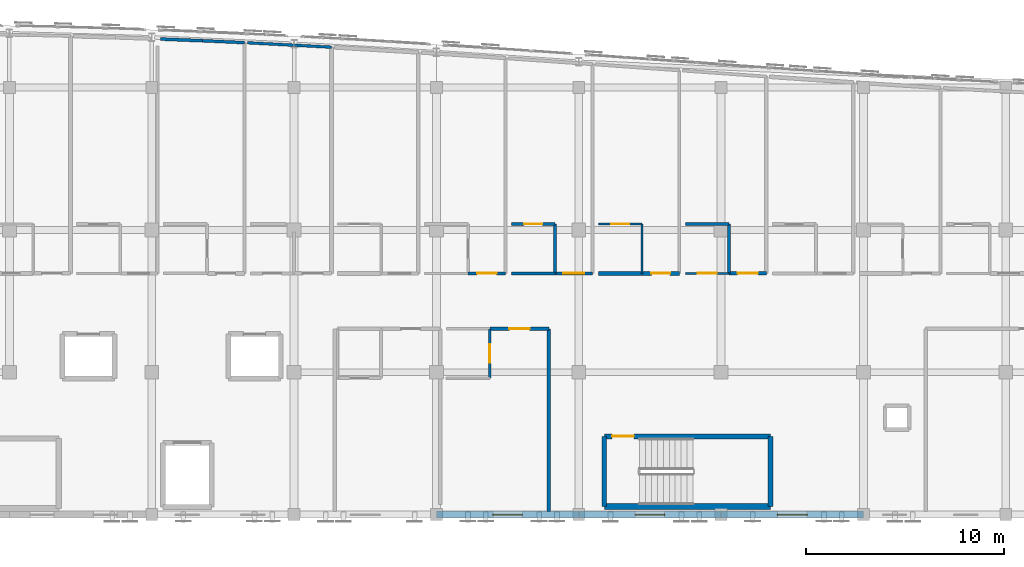
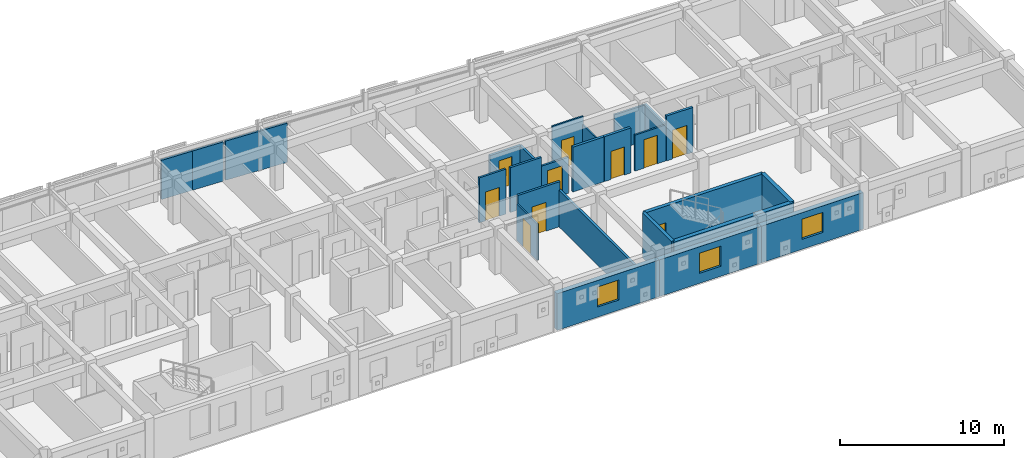
# One storey, part 42 of 48: 26 walls, 10 doors, 3 windows, 13 openings.
"""IFC4 building model written with IfcOpenShell, lengths in metres."""

from ifc_helpers import new_model, si_unit, direction, frame, frame_2d, origin, place, context, subcontext, project, spatial, rectangle, extrude, material, layer, layer_set, type_object, element, fill, save


model = new_model("IFC4")

# Units and contexts
model_context = context("Model", 3, precision=1e-05, world=origin(), true_north=direction((0.0, 1.0)))
body_context = subcontext(model_context, "Body", "Model", "MODEL_VIEW")
ifc_project = project(units=[si_unit("LENGTHUNIT", "METRE"), si_unit("AREAUNIT", "SQUARE_METRE"), si_unit("VOLUMEUNIT", "CUBIC_METRE"), si_unit("PLANEANGLEUNIT", "RADIAN"), si_unit("MASSUNIT", "GRAM", prefix="KILO")], contexts=[model_context])

# Site, building, storey
site_placement = place(None, origin())
site = spatial("IfcSite", under=ifc_project, at=site_placement, CompositionType="ELEMENT")
building_placement = place(site_placement, origin())
building = spatial("IfcBuilding", under=site, at=building_placement, Name="Carrowvane Square Congress Hotel", CompositionType="ELEMENT")
storey_placement = place(building_placement, frame((0.0, 0.0, 26.39990234375)))
storey = spatial("IfcBuildingStorey", under=building, at=storey_placement, Name="L06", CompositionType="ELEMENT", Elevation=26.39990234375)

# Wall, opening, window
ifc_material_1 = material(Name="Glazed terracotta rainscreen", Category="masonry")
ifc_layer_1 = layer(ifc_material_1, 0.360107421875)
ifc_layer_set_1 = layer_set([ifc_layer_1], Name="Glazed terracotta rainscreen")
wall_type_1 = type_object("IfcWallType", Name="WL-EXT-TC360", PredefinedType="STANDARD", material=ifc_layer_set_1)
wall_1_placement = place(storey_placement, frame((148.39990234375, 91.800048828125, 0.0), z_axis=(0.0, 0.0, 1.0), x_axis=(-1.0, 0.0, 0.0)))
wall_1 = element("IfcWall", 1, at=wall_1_placement, inside=storey, type_object=wall_type_1, Name="L06 exterior facade wall 488", PredefinedType="STANDARD", context=body_context, shape_type="SweptSolid", body=[
    extrude(rectangle(XDim=7.199951171875, YDim=0.360107421875, at=frame_2d((3.60009765625, 0.0))), origin(), (0.0, 0.0, 1.0), 2.735107421875),
])
opening_1_placement = place(wall_1_placement, frame((2.85009765625, 0.0, 0.75)))
opening_1 = element("IfcOpeningElement", 2, at=opening_1_placement, cuts=wall_1, Name="Opening W-15", PredefinedType="OPENING", context=body_context, shape_type="SweptSolid", body=[
    extrude(rectangle(XDim=1.5, YDim=1.5, at=frame_2d((0.75, 0.75))), frame((0.0, 0.18994140625, 0.0), z_axis=(0.0, -1.0, 0.0), x_axis=(1.0, 0.0, 0.0)), (0.0, 0.0, 1.0), 0.380126953125),
])
ifc_material_2 = material(Name="Double-glazed low-E glass", Category="glass")
window_type = type_object("IfcWindowType", Name="WIN-15", PartitioningType="SINGLE_PANEL", PredefinedType="WINDOW", material=ifc_material_2)
window_1_placement = place(opening_1_placement, origin())
window_1 = element("IfcWindow", 3, at=window_1_placement, inside=storey, type_object=window_type, Name="L06 facade window 318", OverallHeight=1.5, OverallWidth=1.5, PartitioningType="SINGLE_PANEL", PredefinedType="WINDOW", context=body_context, shape_type="SweptSolid", body=[
    extrude(rectangle(XDim=1.5, YDim=1.5, at=frame_2d((0.75, 0.75))), frame((0.0, 0.030029296875, 0.0), z_axis=(0.0, -1.0, 0.0), x_axis=(1.0, 0.0, 0.0)), (0.0, 0.0, 1.0), 0.06005859375),
])
fill(opening_1, window_1)

wall_2_placement = place(storey_placement, frame((141.199951171875, 91.800048828125, 0.0), z_axis=(0.0, 0.0, 1.0), x_axis=(-1.0, 0.0, 0.0)))
wall_2 = element("IfcWall", 4, at=wall_2_placement, inside=storey, type_object=wall_type_1, Name="L06 exterior facade wall 489", PredefinedType="STANDARD", context=body_context, shape_type="SweptSolid", body=[
    extrude(rectangle(XDim=7.199951171875, YDim=0.360107421875, at=frame_2d((3.60009765625, 0.0))), origin(), (0.0, 0.0, 1.0), 2.735107421875),
])
opening_2_placement = place(wall_2_placement, frame((2.85009765625, 0.0, 0.75)))
opening_2 = element("IfcOpeningElement", 5, at=opening_2_placement, cuts=wall_2, Name="Opening W-15", PredefinedType="OPENING", context=body_context, shape_type="SweptSolid", body=[
    extrude(rectangle(XDim=1.5, YDim=1.5, at=frame_2d((0.75, 0.75))), frame((0.0, 0.18994140625, 0.0), z_axis=(0.0, -1.0, 0.0), x_axis=(1.0, 0.0, 0.0)), (0.0, 0.0, 1.0), 0.380126953125),
])
window_2_placement = place(opening_2_placement, origin())
window_2 = element("IfcWindow", 6, at=window_2_placement, inside=storey, type_object=window_type, Name="L06 facade window 319", OverallHeight=1.5, OverallWidth=1.5, PartitioningType="SINGLE_PANEL", PredefinedType="WINDOW", context=body_context, shape_type="SweptSolid", body=[
    extrude(rectangle(XDim=1.5, YDim=1.5, at=frame_2d((0.75, 0.75))), frame((0.0, 0.030029296875, 0.0), z_axis=(0.0, -1.0, 0.0), x_axis=(1.0, 0.0, 0.0)), (0.0, 0.0, 1.0), 0.06005859375),
])
fill(opening_2, window_2)

wall_3_placement = place(storey_placement, frame((134.0, 91.800048828125, 0.0), z_axis=(0.0, 0.0, 1.0), x_axis=(-1.0, 0.0, 0.0)))
wall_3 = element("IfcWall", 7, at=wall_3_placement, inside=storey, type_object=wall_type_1, Name="L06 exterior facade wall 490", PredefinedType="STANDARD", context=body_context, shape_type="SweptSolid", body=[
    extrude(rectangle(XDim=7.199951171875, YDim=0.360107421875, at=frame_2d((3.60009765625, 0.0))), origin(), (0.0, 0.0, 1.0), 2.735107421875),
])
opening_3_placement = place(wall_3_placement, frame((2.85009765625, 0.0, 0.75)))
opening_3 = element("IfcOpeningElement", 8, at=opening_3_placement, cuts=wall_3, Name="Opening W-15", PredefinedType="OPENING", context=body_context, shape_type="SweptSolid", body=[
    extrude(rectangle(XDim=1.5, YDim=1.5, at=frame_2d((0.75, 0.75))), frame((0.0, 0.18994140625, 0.0), z_axis=(0.0, -1.0, 0.0), x_axis=(1.0, 0.0, 0.0)), (0.0, 0.0, 1.0), 0.380126953125),
])
window_3_placement = place(opening_3_placement, origin())
window_3 = element("IfcWindow", 9, at=window_3_placement, inside=storey, type_object=window_type, Name="L06 facade window 320", OverallHeight=1.5, OverallWidth=1.5, PartitioningType="SINGLE_PANEL", PredefinedType="WINDOW", context=body_context, shape_type="SweptSolid", body=[
    extrude(rectangle(XDim=1.5, YDim=1.5, at=frame_2d((0.75, 0.75))), frame((0.0, 0.030029296875, 0.0), z_axis=(0.0, -1.0, 0.0), x_axis=(1.0, 0.0, 0.0)), (0.0, 0.0, 1.0), 0.06005859375),
])
fill(opening_3, window_3)

# Wall, opening, door
ifc_material_3 = material(Name="Acoustic gypsum board", Category="gypsum")
ifc_layer_2 = layer(ifc_material_3, 0.155029296875)
ifc_layer_set_2 = layer_set([ifc_layer_2], Name="Acoustic gypsum board")
wall_type_2 = type_object("IfcWallType", Name="WL-FIR-155", PredefinedType="PARTITIONING", material=ifc_layer_set_2)
wall_4_placement = place(storey_placement, frame((129.510009765625, 101.199951171875, 0.0), z_axis=(0.0, 0.0, 1.0), x_axis=(1.0, 0.0, 0.0)))
wall_4 = element("IfcWall", 10, at=wall_4_placement, inside=storey, type_object=wall_type_2, Name="L06 Hotel Suite 0608 partition", PredefinedType="PARTITIONING", context=body_context, shape_type="SweptSolid", body=[
    extrude(rectangle(XDim=2.97998046875, YDim=0.155029296875, at=frame_2d((1.489990234375, 0.0))), origin(), (0.0, 0.0, 1.0), 3.35009765625),
])
opening_4_placement = place(wall_4_placement, frame((0.97998046875, 0.0, 0.0)))
opening_4 = element("IfcOpeningElement", 11, at=opening_4_placement, cuts=wall_4, Name="Opening FD-08", PredefinedType="OPENING", context=body_context, shape_type="SweptSolid", body=[
    extrude(rectangle(XDim=1.02001953125, YDim=2.14990234375, at=frame_2d((0.510009765625, 1.074951171875))), frame((0.0, 0.08740234375, 0.0), z_axis=(0.0, -1.0, 0.0), x_axis=(1.0, 0.0, 0.0)), (0.0, 0.0, 1.0), 0.175048828125),
])
ifc_material_4 = material(Name="European oak timber", Category="wood")
door_type_1 = type_object("IfcDoorType", Name="DR-FD30-1020x2150", OperationType="NOTDEFINED", PredefinedType="DOOR", material=ifc_material_4)
door_1_placement = place(opening_4_placement, origin())
door_1 = element("IfcDoor", 12, at=door_1_placement, inside=storey, type_object=door_type_1, Name="L06 Hotel Suite 0608 entrance door", OperationType="SINGLE_SWING_LEFT", OverallHeight=2.14990234375, OverallWidth=1.02001953125, PredefinedType="DOOR", context=body_context, shape_type="SweptSolid", body=[
    extrude(rectangle(XDim=1.02001953125, YDim=2.14990234375, at=frame_2d((0.510009765625, 1.074951171875))), frame((0.0, 0.02490234375, 0.0), z_axis=(0.0, -1.0, 0.0), x_axis=(1.0, 0.0, 0.0)), (0.0, 0.0, 1.0), 0.050048828125),
])
fill(opening_4, door_1)

# Walls
wall_5_placement = place(storey_placement, frame((112.85009765625, 115.85595703125, 0.0), z_axis=(0.0, 0.0, 1.0), x_axis=(0.999174642918, -0.040620597599, 0.0)))
element("IfcWall", 13, at=wall_5_placement, inside=storey, type_object=wall_type_2, Name="L06 Parkview Guest Bedroom 0622 partition", PredefinedType="PARTITIONING", context=body_context, shape_type="SweptSolid", body=[
    extrude(rectangle(XDim=2.12158203125, YDim=0.155029296875, at=frame_2d((1.060791015625, 0.0))), origin(), (0.0, 0.0, 1.0), 2.92578125),
])
wall_6_placement = place(storey_placement, frame((132.800048828125, 106.5, 0.0), z_axis=(0.0, 0.0, 1.0), x_axis=(0.0, -1.0, 0.0)))
element("IfcWall", 14, at=wall_6_placement, inside=storey, type_object=wall_type_2, Name="L06 En-suite Bathroom 0626 partition", PredefinedType="PARTITIONING", context=body_context, shape_type="SweptSolid", body=[
    extrude(rectangle(XDim=2.5, YDim=0.155029296875, at=frame_2d((1.25, 0.0))), origin(), (0.0, 0.0, 1.0), 2.735107421875),
])
ifc_material_5 = material(Name="Acoustic gypsum board", Category="gypsum")
ifc_layer_3 = layer(ifc_material_5, 0.169921875)
ifc_layer_set_3 = layer_set([ifc_layer_3], Name="Acoustic gypsum board")
wall_type_3 = type_object("IfcWallType", Name="WL-FIR-170", PredefinedType="PARTITIONING", material=ifc_layer_set_3)
wall_7_placement = place(storey_placement, frame((132.489990234375, 101.199951171875, 0.0), z_axis=(0.0, 0.0, 1.0), x_axis=(0.0, -1.0, 0.0)))
element("IfcWall", 15, at=wall_7_placement, inside=storey, type_object=wall_type_3, Name="L06 Hotel Suite 0608 partition", PredefinedType="PARTITIONING", context=body_context, shape_type="SweptSolid", body=[
    extrude(rectangle(XDim=9.239990234375, YDim=0.169921875, at=frame_2d((4.6201171875, 0.0))), origin(), (0.0, 0.0, 1.0), 2.735107421875),
])

# Wall, opening, door
wall_8_placement = place(storey_placement, frame((130.60009765625, 106.5, 0.0), z_axis=(0.0, 0.0, 1.0), x_axis=(1.0, 0.0, 0.0)))
wall_8 = element("IfcWall", 16, at=wall_8_placement, inside=storey, type_object=wall_type_3, Name="L06 En-suite Bathroom 0626 partition", PredefinedType="PARTITIONING", context=body_context, shape_type="SweptSolid", body=[
    extrude(rectangle(XDim=2.199951171875, YDim=0.169921875, at=frame_2d((1.10009765625, 0.0))), origin(), (0.0, 0.0, 1.0), 2.735107421875),
])
opening_5_placement = place(wall_8_placement, frame((0.635009765625, 0.0, 0.0)))
opening_5 = element("IfcOpeningElement", 17, at=opening_5_placement, cuts=wall_8, Name="Opening ID-18", PredefinedType="OPENING", context=body_context, shape_type="SweptSolid", body=[
    extrude(rectangle(XDim=0.929931640625, YDim=2.1298828125, at=frame_2d((0.46484375, 1.06494140625))), frame((0.0, 0.094970703125, 0.0), z_axis=(0.0, -1.0, 0.0), x_axis=(1.0, 0.0, 0.0)), (0.0, 0.0, 1.0), 0.18994140625),
])
ifc_material_6 = material(Name="European oak timber", Category="wood")
door_type_2 = type_object("IfcDoorType", Name="DR-INT-0930x2130", OperationType="NOTDEFINED", PredefinedType="DOOR", material=ifc_material_6)
door_2_placement = place(opening_5_placement, origin())
door_2 = element("IfcDoor", 18, at=door_2_placement, inside=storey, type_object=door_type_2, Name="L06 En-suite Bathroom 0626 door", OperationType="SINGLE_SWING_RIGHT", OverallHeight=2.1298828125, OverallWidth=0.929931640625, PredefinedType="DOOR", context=body_context, shape_type="SweptSolid", body=[
    extrude(rectangle(XDim=0.929931640625, YDim=2.1298828125, at=frame_2d((0.46484375, 1.06494140625))), frame((0.0, 0.02490234375, 0.0), z_axis=(0.0, -1.0, 0.0), x_axis=(1.0, 0.0, 0.0)), (0.0, 0.0, 1.0), 0.050048828125),
])
fill(opening_5, door_2)

wall_9_placement = place(storey_placement, frame((143.489990234375, 104.0, 0.0), z_axis=(0.0, 0.0, 1.0), x_axis=(-1.0, 0.0, 0.0)))
wall_9 = element("IfcWall", 19, at=wall_9_placement, inside=storey, type_object=wall_type_3, Name="L06 Parkview Guest Bedroom 0628 partition", PredefinedType="PARTITIONING", context=body_context, shape_type="SweptSolid", body=[
    extrude(rectangle(XDim=1.8798828125, YDim=0.169921875, at=frame_2d((0.93994140625, 0.0))), origin(), (0.0, 0.0, 1.0), 3.35009765625),
])
opening_6_placement = place(wall_9_placement, frame((0.429931640625, 0.0, 0.0)))
opening_6 = element("IfcOpeningElement", 20, at=opening_6_placement, cuts=wall_9, Name="Opening FD-08", PredefinedType="OPENING", context=body_context, shape_type="SweptSolid", body=[
    extrude(rectangle(XDim=1.02001953125, YDim=2.14990234375, at=frame_2d((0.510009765625, 1.074951171875))), frame((0.0, 0.094970703125, 0.0), z_axis=(0.0, -1.0, 0.0), x_axis=(1.0, 0.0, 0.0)), (0.0, 0.0, 1.0), 0.18994140625),
])
door_3_placement = place(opening_6_placement, origin())
door_3 = element("IfcDoor", 21, at=door_3_placement, inside=storey, type_object=door_type_1, Name="L06 Parkview Guest Bedroom 0628 entrance door", OperationType="SINGLE_SWING_LEFT", OverallHeight=2.14990234375, OverallWidth=1.02001953125, PredefinedType="DOOR", context=body_context, shape_type="SweptSolid", body=[
    extrude(rectangle(XDim=1.02001953125, YDim=2.14990234375, at=frame_2d((0.510009765625, 1.074951171875))), frame((0.0, 0.02490234375, 0.0), z_axis=(0.0, -1.0, 0.0), x_axis=(1.0, 0.0, 0.0)), (0.0, 0.0, 1.0), 0.050048828125),
])
fill(opening_6, door_3)

# Wall
ifc_material_7 = material(Name="Acoustic gypsum board", Category="gypsum")
ifc_layer_4 = layer(ifc_material_7, 0.18505859375)
ifc_layer_set_4 = layer_set([ifc_layer_4], Name="Acoustic gypsum board")
wall_type_4 = type_object("IfcWallType", Name="WL-FIR-185", PredefinedType="PARTITIONING", material=ifc_layer_set_4)
wall_10_placement = place(storey_placement, frame((137.199951171875, 104.0, 0.0), z_axis=(0.0, 0.0, 1.0), x_axis=(-1.0, 0.0, 0.0)))
element("IfcWall", 22, at=wall_10_placement, inside=storey, type_object=wall_type_4, Name="L06 En-suite Bathroom 0627 partition", PredefinedType="PARTITIONING", context=body_context, shape_type="SweptSolid", body=[
    extrude(rectangle(XDim=2.199951171875, YDim=0.18505859375, at=frame_2d((1.10009765625, 0.0))), origin(), (0.0, 0.0, 1.0), 3.35009765625),
])

# Wall, opening, door
wall_11_placement = place(storey_placement, frame((139.090087890625, 104.0, 0.0), z_axis=(0.0, 0.0, 1.0), x_axis=(-1.0, 0.0, 0.0)))
wall_11 = element("IfcWall", 23, at=wall_11_placement, inside=storey, type_object=wall_type_4, Name="L06 Parkview Guest Bedroom 0627 partition", PredefinedType="PARTITIONING", context=body_context, shape_type="SweptSolid", body=[
    extrude(rectangle(XDim=1.880126953125, YDim=0.18505859375, at=frame_2d((0.93994140625, 0.0))), origin(), (0.0, 0.0, 1.0), 3.35009765625),
])
opening_7_placement = place(wall_11_placement, frame((0.465087890625, 0.0, 0.0)))
opening_7 = element("IfcOpeningElement", 24, at=opening_7_placement, cuts=wall_11, Name="Opening FD-06", PredefinedType="OPENING", context=body_context, shape_type="SweptSolid", body=[
    extrude(rectangle(XDim=0.949951171875, YDim=2.10009765625, at=frame_2d((0.47509765625, 1.050048828125))), frame((0.0, 0.1025390625, 0.0), z_axis=(0.0, -1.0, 0.0), x_axis=(1.0, 0.0, 0.0)), (0.0, 0.0, 1.0), 0.205078125),
])
ifc_material_8 = material(Name="European oak timber", Category="wood")
door_type_3 = type_object("IfcDoorType", Name="DR-FD30-0950x2100", OperationType="NOTDEFINED", PredefinedType="DOOR", material=ifc_material_8)
door_4_placement = place(opening_7_placement, origin())
door_4 = element("IfcDoor", 25, at=door_4_placement, inside=storey, type_object=door_type_3, Name="L06 Parkview Guest Bedroom 0627 entrance door", OperationType="SINGLE_SWING_LEFT", OverallHeight=2.10009765625, OverallWidth=0.949951171875, PredefinedType="DOOR", context=body_context, shape_type="SweptSolid", body=[
    extrude(rectangle(XDim=0.949951171875, YDim=2.10009765625, at=frame_2d((0.47509765625, 1.050048828125))), frame((0.0, 0.02490234375, 0.0), z_axis=(0.0, -1.0, 0.0), x_axis=(1.0, 0.0, 0.0)), (0.0, 0.0, 1.0), 0.050048828125),
])
fill(opening_7, door_4)

# Wall
ifc_material_9 = material(Name="Acoustic gypsum board", Category="gypsum")
ifc_layer_5 = layer(ifc_material_9, 0.097900390625)
ifc_layer_set_5 = layer_set([ifc_layer_5], Name="Acoustic gypsum board")
wall_type_5 = type_object("IfcWallType", Name="WL-PRT-098", PredefinedType="PARTITIONING", material=ifc_layer_set_5)
wall_12_placement = place(storey_placement, frame((137.199951171875, 106.5, 0.0), z_axis=(0.0, 0.0, 1.0), x_axis=(0.0, -1.0, 0.0)))
element("IfcWall", 26, at=wall_12_placement, inside=storey, type_object=wall_type_5, Name="L06 En-suite Bathroom 0627 partition", PredefinedType="PARTITIONING", context=body_context, shape_type="SweptSolid", body=[
    extrude(rectangle(XDim=2.5, YDim=0.097900390625, at=frame_2d((1.25, 0.0))), origin(), (0.0, 0.0, 1.0), 2.735107421875),
])

# Wall, opening, door
ifc_material_10 = material(Name="Acoustic gypsum board", Category="gypsum")
ifc_layer_6 = layer(ifc_material_10, 0.10791015625)
ifc_layer_set_6 = layer_set([ifc_layer_6], Name="Acoustic gypsum board")
wall_type_6 = type_object("IfcWallType", Name="WL-PRT-108", PredefinedType="PARTITIONING", material=ifc_layer_set_6)
wall_13_placement = place(storey_placement, frame((129.5, 101.199951171875, 0.0), z_axis=(0.0, 0.0, 1.0), x_axis=(0.0, -1.0, 0.0)))
wall_13 = element("IfcWall", 27, at=wall_13_placement, inside=storey, type_object=wall_type_6, Name="L06 En-suite Bathroom 0608 partition", PredefinedType="PARTITIONING", context=body_context, shape_type="SweptSolid", body=[
    extrude(rectangle(XDim=2.5, YDim=0.10791015625, at=frame_2d((1.25, 0.0))), origin(), (0.0, 0.0, 1.0), 2.735107421875),
])
opening_8_placement = place(wall_13_placement, frame((0.784912109375, 0.0, 0.0)))
opening_8 = element("IfcOpeningElement", 28, at=opening_8_placement, cuts=wall_13, Name="Opening ID-18", PredefinedType="OPENING", context=body_context, shape_type="SweptSolid", body=[
    extrude(rectangle(XDim=0.929931640625, YDim=2.1298828125, at=frame_2d((0.46484375, 1.06494140625))), frame((0.0, 0.06396484375, 0.0), z_axis=(0.0, -1.0, 0.0), x_axis=(1.0, 0.0, 0.0)), (0.0, 0.0, 1.0), 0.1279296875),
])
door_5_placement = place(opening_8_placement, origin())
door_5 = element("IfcDoor", 29, at=door_5_placement, inside=storey, type_object=door_type_2, Name="L06 En-suite Bathroom 0608 door", OperationType="SINGLE_SWING_RIGHT", OverallHeight=2.1298828125, OverallWidth=0.929931640625, PredefinedType="DOOR", context=body_context, shape_type="SweptSolid", body=[
    extrude(rectangle(XDim=0.929931640625, YDim=2.1298828125, at=frame_2d((0.46484375, 1.06494140625))), frame((0.0, 0.02490234375, 0.0), z_axis=(0.0, -1.0, 0.0), x_axis=(1.0, 0.0, 0.0)), (0.0, 0.0, 1.0), 0.050048828125),
])
fill(opening_8, door_5)

wall_14_placement = place(storey_placement, frame((135.0, 106.5, 0.0), z_axis=(0.0, 0.0, 1.0), x_axis=(1.0, 0.0, 0.0)))
wall_14 = element("IfcWall", 30, at=wall_14_placement, inside=storey, type_object=wall_type_6, Name="L06 En-suite Bathroom 0627 partition", PredefinedType="PARTITIONING", context=body_context, shape_type="SweptSolid", body=[
    extrude(rectangle(XDim=2.199951171875, YDim=0.10791015625, at=frame_2d((1.10009765625, 0.0))), origin(), (0.0, 0.0, 1.0), 3.35009765625),
])
opening_9_placement = place(wall_14_placement, frame((0.64990234375, 0.0, 0.0)))
opening_9 = element("IfcOpeningElement", 31, at=opening_9_placement, cuts=wall_14, Name="Opening ID-02", PredefinedType="OPENING", context=body_context, shape_type="SweptSolid", body=[
    extrude(rectangle(XDim=0.89990234375, YDim=2.080078125, at=frame_2d((0.449951171875, 1.0400390625))), frame((0.0, 0.06396484375, 0.0), z_axis=(0.0, -1.0, 0.0), x_axis=(1.0, 0.0, 0.0)), (0.0, 0.0, 1.0), 0.1279296875),
])
ifc_material_11 = material(Name="European oak timber", Category="wood")
door_type_4 = type_object("IfcDoorType", Name="DR-INT-0900x2080", OperationType="NOTDEFINED", PredefinedType="DOOR", material=ifc_material_11)
door_6_placement = place(opening_9_placement, origin())
door_6 = element("IfcDoor", 32, at=door_6_placement, inside=storey, type_object=door_type_4, Name="L06 En-suite Bathroom 0627 door", OperationType="SINGLE_SWING_RIGHT", OverallHeight=2.080078125, OverallWidth=0.89990234375, PredefinedType="DOOR", context=body_context, shape_type="SweptSolid", body=[
    extrude(rectangle(XDim=0.89990234375, YDim=2.080078125, at=frame_2d((0.449951171875, 1.0400390625))), frame((0.0, 0.02490234375, 0.0), z_axis=(0.0, -1.0, 0.0), x_axis=(1.0, 0.0, 0.0)), (0.0, 0.0, 1.0), 0.050048828125),
])
fill(opening_9, door_6)

ifc_material_12 = material(Name="Acoustic gypsum board", Category="gypsum")
ifc_layer_7 = layer(ifc_material_12, 0.117919921875)
ifc_layer_set_7 = layer_set([ifc_layer_7], Name="Acoustic gypsum board")
wall_type_7 = type_object("IfcWallType", Name="WL-PRT-118", PredefinedType="PARTITIONING", material=ifc_layer_set_7)
wall_15_placement = place(storey_placement, frame((141.60009765625, 104.0, 0.0), z_axis=(0.0, 0.0, 1.0), x_axis=(-1.0, 0.0, 0.0)))
wall_15 = element("IfcWall", 33, at=wall_15_placement, inside=storey, type_object=wall_type_7, Name="L06 En-suite Bathroom 0628 partition", PredefinedType="PARTITIONING", context=body_context, shape_type="SweptSolid", body=[
    extrude(rectangle(XDim=2.2001953125, YDim=0.117919921875, at=frame_2d((1.10009765625, 0.0))), origin(), (0.0, 0.0, 1.0), 2.68505859375),
])
opening_10_placement = place(wall_15_placement, frame((0.6298828125, 0.0, 0.0)))
opening_10 = element("IfcOpeningElement", 34, at=opening_10_placement, cuts=wall_15, Name="Opening ID-04", PredefinedType="OPENING", context=body_context, shape_type="SweptSolid", body=[
    extrude(rectangle(XDim=0.93994140625, YDim=2.1201171875, at=frame_2d((0.469970703125, 1.06005859375))), frame((0.0, 0.06884765625, 0.0), z_axis=(0.0, -1.0, 0.0), x_axis=(1.0, 0.0, 0.0)), (0.0, 0.0, 1.0), 0.137939453125),
])
ifc_material_13 = material(Name="European oak timber", Category="wood")
door_type_5 = type_object("IfcDoorType", Name="DR-INT-0940x2120", OperationType="NOTDEFINED", PredefinedType="DOOR", material=ifc_material_13)
door_7_placement = place(opening_10_placement, origin())
door_7 = element("IfcDoor", 35, at=door_7_placement, inside=storey, type_object=door_type_5, Name="L06 En-suite Bathroom 0628 door", OperationType="SINGLE_SWING_RIGHT", OverallHeight=2.1201171875, OverallWidth=0.93994140625, PredefinedType="DOOR", context=body_context, shape_type="SweptSolid", body=[
    extrude(rectangle(XDim=0.93994140625, YDim=2.1201171875, at=frame_2d((0.469970703125, 1.06005859375))), frame((0.0, 0.02490234375, 0.0), z_axis=(0.0, -1.0, 0.0), x_axis=(1.0, 0.0, 0.0)), (0.0, 0.0, 1.0), 0.050048828125),
])
fill(opening_10, door_7)

# Walls
ifc_material_14 = material(Name="Acoustic gypsum board", Category="gypsum")
ifc_layer_8 = layer(ifc_material_14, 0.1279296875)
ifc_layer_set_8 = layer_set([ifc_layer_8], Name="Acoustic gypsum board")
wall_type_8 = type_object("IfcWallType", Name="WL-PRT-128", PredefinedType="PARTITIONING", material=ifc_layer_set_8)
wall_16_placement = place(storey_placement, frame((141.60009765625, 106.5, 0.0), z_axis=(0.0, 0.0, 1.0), x_axis=(0.0, -1.0, 0.0)))
element("IfcWall", 36, at=wall_16_placement, inside=storey, type_object=wall_type_8, Name="L06 En-suite Bathroom 0628 partition", PredefinedType="PARTITIONING", context=body_context, shape_type="SweptSolid", body=[
    extrude(rectangle(XDim=2.5, YDim=0.1279296875, at=frame_2d((1.25, 0.0))), origin(), (0.0, 0.0, 1.0), 2.735107421875),
])
ifc_material_15 = material(Name="Acoustic gypsum board", Category="gypsum")
ifc_layer_9 = layer(ifc_material_15, 0.137939453125)
ifc_layer_set_9 = layer_set([ifc_layer_9], Name="Acoustic gypsum board")
wall_type_9 = type_object("IfcWallType", Name="WL-PRT-138", PredefinedType="PARTITIONING", material=ifc_layer_set_9)
wall_17_placement = place(storey_placement, frame((117.25, 115.666015625, 0.0), z_axis=(0.0, 0.0, 1.0), x_axis=(0.998630033293, -0.052326442696, 0.0)))
element("IfcWall", 37, at=wall_17_placement, inside=storey, type_object=wall_type_9, Name="L06 Parkview Guest Bedroom 0623 partition", PredefinedType="PARTITIONING", context=body_context, shape_type="SweptSolid", body=[
    extrude(rectangle(XDim=4.245849609375, YDim=0.137939453125, at=frame_2d((2.123046875, 0.0))), origin(), (0.0, 0.0, 1.0), 2.92578125),
])

# Wall, opening, door
wall_18_placement = place(storey_placement, frame((134.68994140625, 104.0, 0.0), z_axis=(0.0, 0.0, 1.0), x_axis=(-1.0, 0.0, 0.0)))
wall_18 = element("IfcWall", 38, at=wall_18_placement, inside=storey, type_object=wall_type_9, Name="L06 Parkview Guest Bedroom 0626 partition", PredefinedType="PARTITIONING", context=body_context, shape_type="SweptSolid", body=[
    extrude(rectangle(XDim=1.8798828125, YDim=0.137939453125, at=frame_2d((0.93994140625, 0.0))), origin(), (0.0, 0.0, 1.0), 2.68505859375),
])
opening_11_placement = place(wall_18_placement, frame((0.409912109375, 0.0, 0.0)))
opening_11 = element("IfcOpeningElement", 39, at=opening_11_placement, cuts=wall_18, Name="Opening FD-09", PredefinedType="OPENING", context=body_context, shape_type="SweptSolid", body=[
    extrude(rectangle(XDim=1.06005859375, YDim=2.199951171875, at=frame_2d((0.530029296875, 1.10009765625))), frame((0.0, 0.078857421875, 0.0), z_axis=(0.0, -1.0, 0.0), x_axis=(1.0, 0.0, 0.0)), (0.0, 0.0, 1.0), 0.157958984375),
])
ifc_material_16 = material(Name="European oak timber", Category="wood")
door_type_6 = type_object("IfcDoorType", Name="DR-FD30-1060x2200", OperationType="NOTDEFINED", PredefinedType="DOOR", material=ifc_material_16)
door_8_placement = place(opening_11_placement, origin())
door_8 = element("IfcDoor", 40, at=door_8_placement, inside=storey, type_object=door_type_6, Name="L06 Parkview Guest Bedroom 0626 entrance door", OperationType="SINGLE_SWING_LEFT", OverallHeight=2.199951171875, OverallWidth=1.06005859375, PredefinedType="DOOR", context=body_context, shape_type="SweptSolid", body=[
    extrude(rectangle(XDim=1.06005859375, YDim=2.199951171875, at=frame_2d((0.530029296875, 1.10009765625))), frame((0.0, 0.02490234375, 0.0), z_axis=(0.0, -1.0, 0.0), x_axis=(1.0, 0.0, 0.0)), (0.0, 0.0, 1.0), 0.050048828125),
])
fill(opening_11, door_8)

# Walls
wall_19_placement = place(storey_placement, frame((139.39990234375, 106.5, 0.0), z_axis=(0.0, 0.0, 1.0), x_axis=(1.0, 0.0, 0.0)))
element("IfcWall", 41, at=wall_19_placement, inside=storey, type_object=wall_type_9, Name="L06 En-suite Bathroom 0628 partition", PredefinedType="PARTITIONING", context=body_context, shape_type="SweptSolid", body=[
    extrude(rectangle(XDim=2.2001953125, YDim=0.137939453125, at=frame_2d((1.10009765625, 0.0))), origin(), (0.0, 0.0, 1.0), 2.68505859375),
])
ifc_material_17 = material(Name="Acoustic gypsum board", Category="gypsum")
ifc_layer_10 = layer(ifc_material_17, 0.14794921875)
ifc_layer_set_10 = layer_set([ifc_layer_10], Name="Acoustic gypsum board")
wall_type_10 = type_object("IfcWallType", Name="WL-PRT-148", PredefinedType="PARTITIONING", material=ifc_layer_set_10)
wall_20_placement = place(storey_placement, frame((114.969970703125, 115.769775390625, 0.0), z_axis=(0.0, 0.0, 1.0), x_axis=(0.998972331722, -0.045324170739, 0.0)))
element("IfcWall", 42, at=wall_20_placement, inside=storey, type_object=wall_type_10, Name="L06 Parkview Guest Bedroom 0622 partition", PredefinedType="PARTITIONING", context=body_context, shape_type="SweptSolid", body=[
    extrude(rectangle(XDim=2.122314453125, YDim=0.14794921875, at=frame_2d((1.06103515625, 0.0))), origin(), (0.0, 0.0, 1.0), 2.92578125),
])

# Wall, opening, door
wall_21_placement = place(storey_placement, frame((130.2900390625, 104.0, 0.0), z_axis=(0.0, 0.0, 1.0), x_axis=(-1.0, 0.0, 0.0)))
wall_21 = element("IfcWall", 43, at=wall_21_placement, inside=storey, type_object=wall_type_10, Name="L06 Parkview Guest Bedroom 0625 partition", PredefinedType="PARTITIONING", context=body_context, shape_type="SweptSolid", body=[
    extrude(rectangle(XDim=1.880126953125, YDim=0.14794921875, at=frame_2d((0.93994140625, 0.0))), origin(), (0.0, 0.0, 1.0), 3.35009765625),
])
opening_12_placement = place(wall_21_placement, frame((0.449951171875, 0.0, 0.0)))
opening_12 = element("IfcOpeningElement", 44, at=opening_12_placement, cuts=wall_21, Name="Opening FD-07", PredefinedType="OPENING", context=body_context, shape_type="SweptSolid", body=[
    extrude(rectangle(XDim=0.97998046875, YDim=2.14990234375, at=frame_2d((0.489990234375, 1.074951171875))), frame((0.0, 0.083984375, 0.0), z_axis=(0.0, -1.0, 0.0), x_axis=(1.0, 0.0, 0.0)), (0.0, 0.0, 1.0), 0.16796875),
])
ifc_material_18 = material(Name="European oak timber", Category="wood")
door_type_7 = type_object("IfcDoorType", Name="DR-FD30-0980x2150", OperationType="NOTDEFINED", PredefinedType="DOOR", material=ifc_material_18)
door_9_placement = place(opening_12_placement, origin())
door_9 = element("IfcDoor", 45, at=door_9_placement, inside=storey, type_object=door_type_7, Name="L06 Parkview Guest Bedroom 0625 entrance door", OperationType="SINGLE_SWING_LEFT", OverallHeight=2.14990234375, OverallWidth=0.97998046875, PredefinedType="DOOR", context=body_context, shape_type="SweptSolid", body=[
    extrude(rectangle(XDim=0.97998046875, YDim=2.14990234375, at=frame_2d((0.489990234375, 1.074951171875))), frame((0.0, 0.02490234375, 0.0), z_axis=(0.0, -1.0, 0.0), x_axis=(1.0, 0.0, 0.0)), (0.0, 0.0, 1.0), 0.050048828125),
])
fill(opening_12, door_9)

# Walls
wall_22_placement = place(storey_placement, frame((132.800048828125, 104.0, 0.0), z_axis=(0.0, 0.0, 1.0), x_axis=(-1.0, 0.0, 0.0)))
element("IfcWall", 46, at=wall_22_placement, inside=storey, type_object=wall_type_10, Name="L06 En-suite Bathroom 0626 partition", PredefinedType="PARTITIONING", context=body_context, shape_type="SweptSolid", body=[
    extrude(rectangle(XDim=2.199951171875, YDim=0.14794921875, at=frame_2d((1.10009765625, 0.0))), origin(), (0.0, 0.0, 1.0), 3.35009765625),
])
ifc_material_19 = material(Name="Concrete C40/50", Category="concrete")
ifc_layer_11 = layer(ifc_material_19, 0.22509765625)
ifc_layer_set_11 = layer_set([ifc_layer_11], Name="Concrete C40/50")
wall_type_11 = type_object("IfcWallType", Name="WL-SHR-225", PredefinedType="SHEAR", material=ifc_layer_set_11)
wall_23_placement = place(storey_placement, frame((135.300048828125, 95.760009765625, 0.0), z_axis=(0.0, 0.0, 1.0), x_axis=(0.0, -1.0, 0.0)))
element("IfcWall", 47, at=wall_23_placement, inside=storey, type_object=wall_type_11, Name="L06 ST12 core wall west", PredefinedType="SHEAR", context=body_context, shape_type="SweptSolid", body=[
    extrude(rectangle(XDim=3.56005859375, YDim=0.22509765625, at=frame_2d((1.780029296875, 0.0))), origin(), (0.0, 0.0, 1.0), 3.35009765625),
])

# Wall, opening, door
ifc_material_20 = material(Name="Concrete C40/50", Category="concrete")
ifc_layer_12 = layer(ifc_material_20, 0.25)
ifc_layer_set_12 = layer_set([ifc_layer_12], Name="Concrete C40/50")
wall_type_12 = type_object("IfcWallType", Name="WL-SHR-250", PredefinedType="SHEAR", material=ifc_layer_set_12)
wall_24_placement = place(storey_placement, frame((143.699951171875, 95.760009765625, 0.0), z_axis=(0.0, 0.0, 1.0), x_axis=(-1.0, 0.0, 0.0)))
wall_24 = element("IfcWall", 48, at=wall_24_placement, inside=storey, type_object=wall_type_12, Name="L06 ST12 core wall north", PredefinedType="SHEAR", context=body_context, shape_type="SweptSolid", body=[
    extrude(rectangle(XDim=8.39990234375, YDim=0.25, at=frame_2d((4.199951171875, 0.0))), origin(), (0.0, 0.0, 1.0), 3.35009765625),
])
opening_13_placement = place(wall_24_placement, frame((6.909912109375, 0.0, 0.0)))
opening_13 = element("IfcOpeningElement", 49, at=opening_13_placement, cuts=wall_24, Name="Opening FD-01", PredefinedType="OPENING", context=body_context, shape_type="SweptSolid", body=[
    extrude(rectangle(XDim=1.10009765625, YDim=2.10009765625, at=frame_2d((0.550048828125, 1.050048828125))), frame((0.0, 0.135009765625, 0.0), z_axis=(0.0, -1.0, 0.0), x_axis=(1.0, 0.0, 0.0)), (0.0, 0.0, 1.0), 0.27001953125),
])
ifc_material_21 = material(Name="European oak timber", Category="wood")
door_type_8 = type_object("IfcDoorType", Name="DR-FD60-1100x2100", OperationType="NOTDEFINED", PredefinedType="DOOR", material=ifc_material_21)
door_10_placement = place(opening_13_placement, origin())
door_10 = element("IfcDoor", 50, at=door_10_placement, inside=storey, type_object=door_type_8, Name="L06 ST12 fire door", OperationType="SINGLE_SWING_LEFT", OverallHeight=2.10009765625, OverallWidth=1.10009765625, PredefinedType="DOOR", context=body_context, shape_type="SweptSolid", body=[
    extrude(rectangle(XDim=1.10009765625, YDim=2.10009765625, at=frame_2d((0.550048828125, 1.050048828125))), frame((0.0, 0.02490234375, 0.0), z_axis=(0.0, -1.0, 0.0), x_axis=(1.0, 0.0, 0.0)), (0.0, 0.0, 1.0), 0.050048828125),
])
fill(opening_13, door_10)

# Walls
ifc_material_22 = material(Name="Concrete C40/50", Category="concrete")
ifc_layer_13 = layer(ifc_material_22, 0.27490234375)
ifc_layer_set_13 = layer_set([ifc_layer_13], Name="Concrete C40/50")
wall_type_13 = type_object("IfcWallType", Name="WL-SHR-275", PredefinedType="SHEAR", material=ifc_layer_set_13)
wall_25_placement = place(storey_placement, frame((143.699951171875, 92.199951171875, 0.0), z_axis=(0.0, 0.0, 1.0), x_axis=(0.0, 1.0, 0.0)))
element("IfcWall", 51, at=wall_25_placement, inside=storey, type_object=wall_type_13, Name="L06 ST12 core wall east", PredefinedType="SHEAR", context=body_context, shape_type="SweptSolid", body=[
    extrude(rectangle(XDim=3.56005859375, YDim=0.27490234375, at=frame_2d((1.780029296875, 0.0))), origin(), (0.0, 0.0, 1.0), 3.35009765625),
])
ifc_material_23 = material(Name="Concrete C40/50", Category="concrete")
ifc_layer_14 = layer(ifc_material_23, 0.300048828125)
ifc_layer_set_14 = layer_set([ifc_layer_14], Name="Concrete C40/50")
wall_type_14 = type_object("IfcWallType", Name="WL-SHR-300", PredefinedType="SHEAR", material=ifc_layer_set_14)
wall_26_placement = place(storey_placement, frame((135.300048828125, 92.199951171875, 0.0), z_axis=(0.0, 0.0, 1.0), x_axis=(1.0, 0.0, 0.0)))
element("IfcWall", 52, at=wall_26_placement, inside=storey, type_object=wall_type_14, Name="L06 ST12 core wall south", PredefinedType="SHEAR", context=body_context, shape_type="SweptSolid", body=[
    extrude(rectangle(XDim=8.39990234375, YDim=0.300048828125, at=frame_2d((4.199951171875, 0.0))), origin(), (0.0, 0.0, 1.0), 3.35009765625),
])

save(model, "model.ifc")
